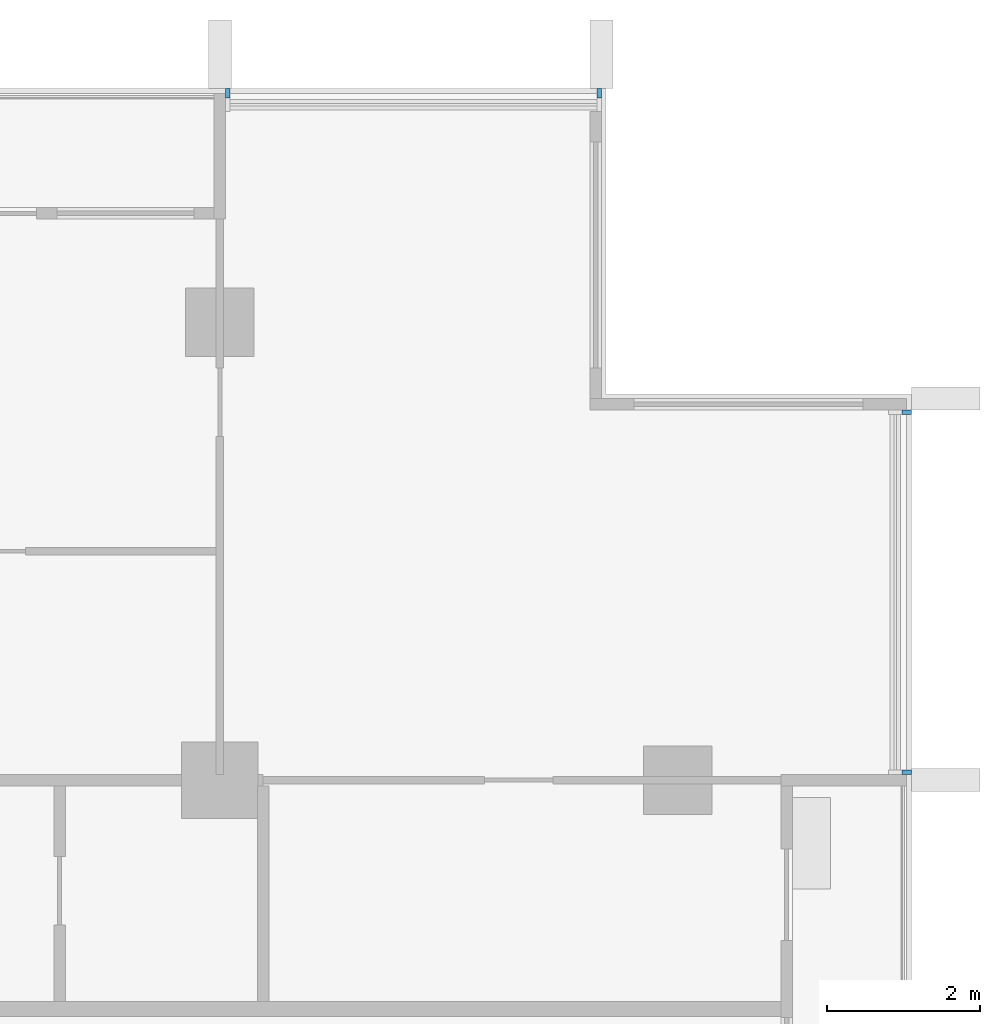
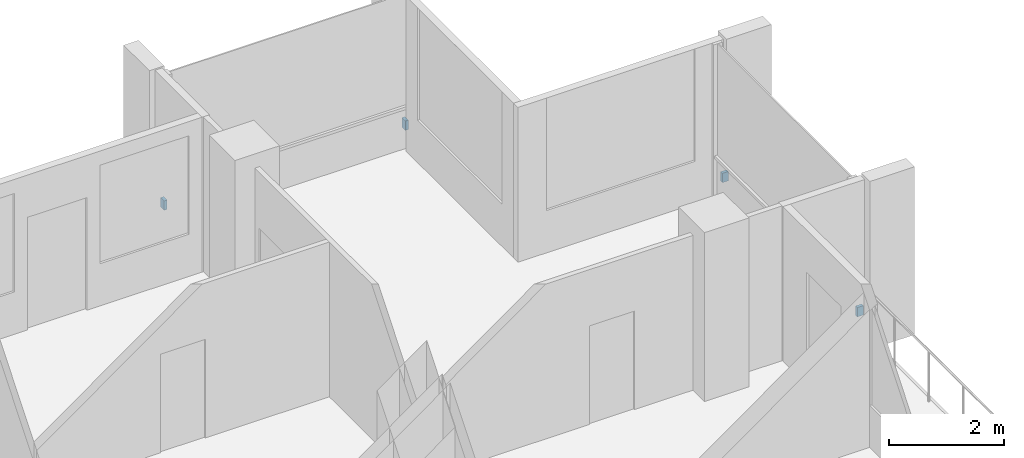
# One storey, part 16 of 17: 4 discrete accessories.
"""IFC4 building model written with IfcOpenShell, lengths in metres."""

from ifc_helpers import new_model, si_unit, direction, frame, origin, origin_2d, place, context, subcontext, project, spatial, rectangle, extrude, material, type_object, element, save


model = new_model("IFC4")

# Units and contexts
model_context = context("Model", 3, precision=1e-05, world=origin(), true_north=direction((0.0, 1.0)))
body_context = subcontext(model_context, "Body", "Model", "MODEL_VIEW")
ifc_project = project(units=[si_unit("LENGTHUNIT", "METRE"), si_unit("AREAUNIT", "SQUARE_METRE"), si_unit("VOLUMEUNIT", "CUBIC_METRE"), si_unit("PLANEANGLEUNIT", "RADIAN"), si_unit("MASSUNIT", "GRAM", prefix="KILO")], contexts=[model_context])

# Site, building, storey
site_placement = place(None, origin())
site = spatial("IfcSite", under=ifc_project, at=site_placement, CompositionType="ELEMENT")
building_placement = place(site_placement, origin())
building = spatial("IfcBuilding", under=site, at=building_placement, Name="Finial Court Residences", CompositionType="ELEMENT")
storey_placement = place(building_placement, frame((0.0, 0.0, 192.5)))
storey = spatial("IfcBuildingStorey", under=building, at=storey_placement, Name="L48", CompositionType="ELEMENT", Elevation=192.5)

# Discrete accessories
ifc_material = material(Name="Stainless steel 316", Category="steel")
discrete_accessory_type = type_object("IfcDiscreteAccessoryType", Name="Fin bracket, stainless steel 60 x 122 x 200", PredefinedType="BRACKET", material=ifc_material)
for number, where, z_axis, x_axis, name in (
    (1, (10.60498046875, 22.498779296875, 0.2998046875), (0.0, 0.0, 1.0), (1.0, 0.0, 0.0), "E-L48-FIN-N5-BRK"),
    (2, (15.469970703125, 22.498779296875, 0.2998046875), (0.0, 0.0, 1.0), (1.0, 0.0, 0.0), "E-L48-FIN-N6-BRK"),
):
    element("IfcDiscreteAccessory", number, at=place(storey_placement, frame(where, z_axis=z_axis, x_axis=x_axis)), inside=storey, type_object=discrete_accessory_type, Name=name, PredefinedType="BRACKET", context=body_context, shape_type="SweptSolid", body=[
        extrude(rectangle(XDim=0.06005859375, YDim=0.12255859375, at=origin_2d()), origin(), (0.0, 0.0, 1.0), 0.199951171875),
    ])
for number, where, z_axis, x_axis, name in (
    (3, (19.498779296875, 13.60498046875, 0.2998046875), (0.0, 0.0, 1.0), (1.0, 0.0, 0.0), "E-L48-FIN-E12-BRK"),
    (4, (19.498779296875, 18.320068359375, 0.2998046875), (0.0, 0.0, 1.0), (1.0, 0.0, 0.0), "E-L48-FIN-E13-BRK"),
):
    element("IfcDiscreteAccessory", number, at=place(storey_placement, frame(where, z_axis=z_axis, x_axis=x_axis)), inside=storey, type_object=discrete_accessory_type, Name=name, PredefinedType="BRACKET", context=body_context, shape_type="SweptSolid", body=[
        extrude(rectangle(XDim=0.12255859375, YDim=0.06005859375, at=origin_2d()), origin(), (0.0, 0.0, 1.0), 0.199951171875),
    ])

save(model, "model.ifc")
